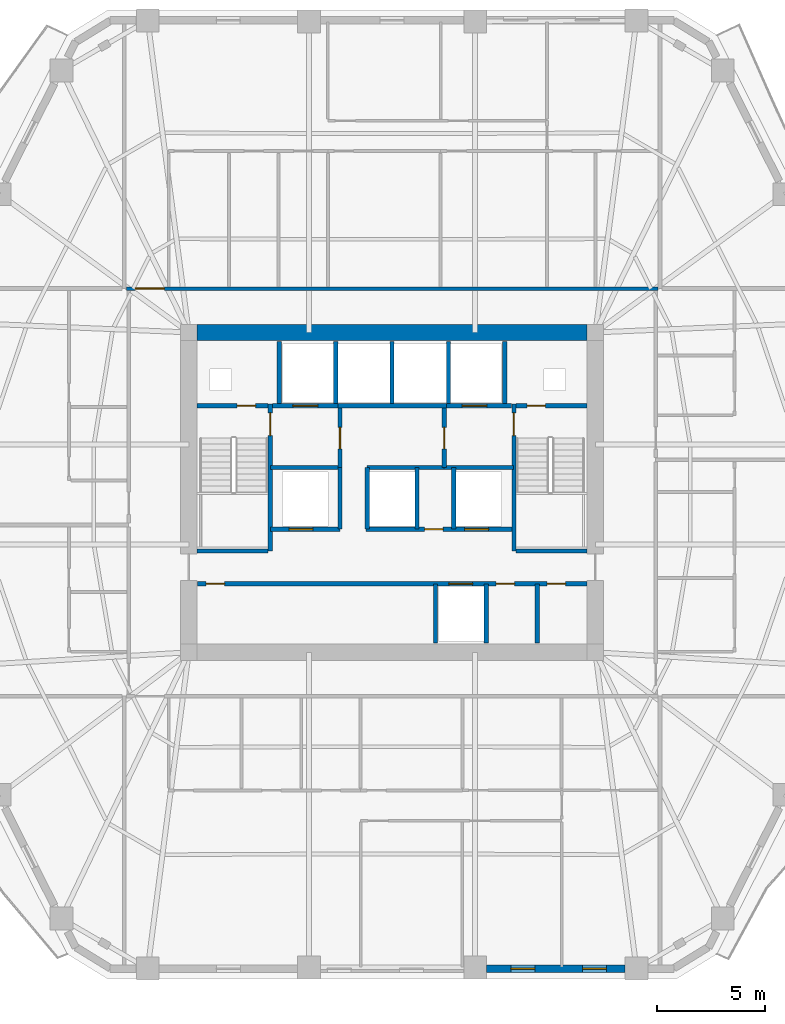
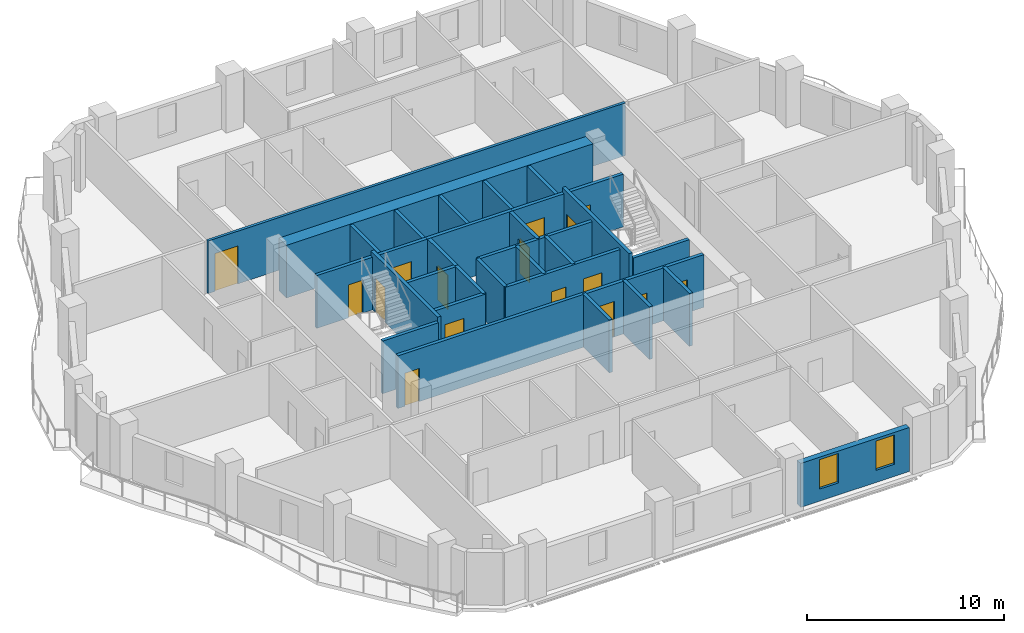
# One storey, part 5 of 11: 32 walls, 16 doors, 2 windows, 18 openings.
"""IFC4 building model written with IfcOpenShell, lengths in metres."""

from ifc_helpers import new_model, si_unit, direction, frame, frame_2d, origin, place, context, subcontext, project, spatial, rectangle, extrude, material, layer, layer_set, type_object, element, fill, save


model = new_model("IFC4")

# Units and contexts
model_context = context("Model", 3, precision=1e-05, world=origin(), true_north=direction((0.0, 1.0)))
body_context = subcontext(model_context, "Body", "Model", "MODEL_VIEW")
ifc_project = project(units=[si_unit("LENGTHUNIT", "METRE"), si_unit("AREAUNIT", "SQUARE_METRE"), si_unit("VOLUMEUNIT", "CUBIC_METRE"), si_unit("PLANEANGLEUNIT", "RADIAN"), si_unit("MASSUNIT", "GRAM", prefix="KILO")], contexts=[model_context])

# Site, building, storey
site_placement = place(None, origin())
site = spatial("IfcSite", under=ifc_project, at=site_placement, CompositionType="ELEMENT")
building_placement = place(site_placement, origin())
building = spatial("IfcBuilding", under=site, at=building_placement, Name="Cinnabar Lancet Tower", CompositionType="ELEMENT")
storey_placement = place(building_placement, frame((0.0, 0.0, 144.550048828125)))
storey = spatial("IfcBuildingStorey", under=building, at=storey_placement, Name="L38", CompositionType="ELEMENT", Elevation=144.550048828125)

# Wall, opening, door
ifc_material_1 = material(Name="Acoustic twin-stud gypsum partition", Category="gypsum")
ifc_layer_1 = layer(ifc_material_1, 0.159912109375)
ifc_layer_set_1 = layer_set([ifc_layer_1], Name="Acoustic twin-stud gypsum partition")
wall_type_1 = type_object("IfcWallType", Name="ARC-WL-CORR-160", PredefinedType="PARTITIONING", material=ifc_layer_set_1)
wall_1_placement = place(storey_placement, frame((20.14501953125, 35.300048828125, 0.0), z_axis=(0.0, 0.0, 1.0), x_axis=(1.0, 0.0, 0.0)))
wall_1 = element("IfcWall", 1, at=wall_1_placement, inside=storey, type_object=wall_type_1, Name="L38 Unit N01 Corridor Wall", PredefinedType="PARTITIONING", context=body_context, shape_type="SweptSolid", body=[
    extrude(rectangle(XDim=24.510009765625, YDim=0.159912109375, at=frame_2d((12.2548828125, 0.0))), origin(), (0.0, 0.0, 1.0), 3.27001953125),
])
opening_1_placement = place(wall_1_placement, frame((0.405029296875, 0.0, 0.0)))
opening_1 = element("IfcOpeningElement", 2, at=opening_1_placement, cuts=wall_1, Name="Opening UD-02", PredefinedType="OPENING", context=body_context, shape_type="SweptSolid", body=[
    extrude(rectangle(XDim=1.35009765625, YDim=2.35009765625, at=frame_2d((0.675048828125, 1.175048828125))), frame((0.0, 0.08984375, 0.0), z_axis=(0.0, -1.0, 0.0), x_axis=(1.0, 0.0, 0.0)), (0.0, 0.0, 1.0), 0.179931640625),
])
ifc_material_2 = material(Name="Double-leaf solid timber penthouse entrance door", Category="wood")
door_type_1 = type_object("IfcDoorType", Name="ARC-DR-UNIT-PH", OperationType="NOTDEFINED", PredefinedType="DOOR", material=ifc_material_2)
door_1_placement = place(opening_1_placement, origin())
door_1 = element("IfcDoor", 3, at=door_1_placement, inside=storey, type_object=door_type_1, Name="DR-L38-N01-ENT", OperationType="SINGLE_SWING_LEFT", OverallHeight=2.35009765625, OverallWidth=1.35009765625, PredefinedType="DOOR", context=body_context, shape_type="SweptSolid", body=[
    extrude(rectangle(XDim=1.35009765625, YDim=2.35009765625, at=frame_2d((0.675048828125, 1.175048828125))), frame((0.0, 0.02490234375, 0.0), z_axis=(0.0, -1.0, 0.0), x_axis=(1.0, 0.0, 0.0)), (0.0, 0.0, 1.0), 0.050048828125),
])
fill(opening_1, door_1)

# Walls
ifc_material_3 = material(Name="Autoclaved aerated concrete blockwork", Category="masonry")
ifc_layer_2 = layer(ifc_material_3, 0.199951171875)
ifc_layer_set_2 = layer_set([ifc_layer_2], Name="Autoclaved aerated concrete blockwork")
wall_type_2 = type_object("IfcWallType", Name="ARC-WL-SHAFT-200", PredefinedType="PLUMBINGWALL", material=ifc_layer_set_2)
for number, where, z_axis, x_axis, name in (
    (4, (23.405029296875, 23.199951171875, 0.0), (0.0, 0.0, 1.0), (1.0, 0.0, 0.0), "CW-ST1S-L38"),
    (5, (38.125, 23.199951171875, 0.0), (0.0, 0.0, 1.0), (1.0, 0.0, 0.0), "CW-ST2S-L38"),
):
    element("IfcWall", number, at=place(storey_placement, frame(where, z_axis=z_axis, x_axis=x_axis)), inside=storey, type_object=wall_type_2, Name=name, PredefinedType="PLUMBINGWALL", context=body_context, shape_type="SweptSolid", body=[
        extrude(rectangle(XDim=3.27001953125, YDim=0.199951171875, at=frame_2d((1.635009765625, 0.0))), origin(), (0.0, 0.0, 1.0), 3.27001953125),
    ])

# Wall, opening, door
wall_2_placement = place(storey_placement, frame((23.405029296875, 29.89990234375, 0.0), z_axis=(0.0, 0.0, 1.0), x_axis=(1.0, 0.0, 0.0)))
wall_2 = element("IfcWall", 6, at=wall_2_placement, inside=storey, type_object=wall_type_2, Name="CW-NSH-W-L38", PredefinedType="PLUMBINGWALL", context=body_context, shape_type="SweptSolid", body=[
    extrude(rectangle(XDim=3.27001953125, YDim=0.199951171875, at=frame_2d((1.635009765625, 0.0))), origin(), (0.0, 0.0, 1.0), 3.27001953125),
])
opening_2_placement = place(wall_2_placement, frame((1.85009765625, 0.0, 0.0)))
opening_2 = element("IfcOpeningElement", 7, at=opening_2_placement, cuts=wall_2, Name="Opening PD-02", PredefinedType="OPENING", context=body_context, shape_type="SweptSolid", body=[
    extrude(rectangle(XDim=0.85009765625, YDim=2.050048828125, at=frame_2d((0.425048828125, 1.02490234375))), frame((0.0, 0.10986328125, 0.0), z_axis=(0.0, -1.0, 0.0), x_axis=(1.0, 0.0, 0.0)), (0.0, 0.0, 1.0), 0.219970703125),
])
ifc_material_4 = material(Name="Fire-rated steel riser access door", Category="steel")
door_type_2 = type_object("IfcDoorType", Name="ARC-DR-RISER", OperationType="NOTDEFINED", PredefinedType="DOOR", material=ifc_material_4)
door_2_placement = place(opening_2_placement, origin())
door_2 = element("IfcDoor", 8, at=door_2_placement, inside=storey, type_object=door_type_2, Name="L38 West Riser Access Door", OperationType="SINGLE_SWING_LEFT", OverallHeight=2.050048828125, OverallWidth=0.85009765625, PredefinedType="DOOR", context=body_context, shape_type="SweptSolid", body=[
    extrude(rectangle(XDim=0.85009765625, YDim=2.050048828125, at=frame_2d((0.425048828125, 1.02490234375))), frame((0.0, 0.02490234375, 0.0), z_axis=(0.0, -1.0, 0.0), x_axis=(1.0, 0.0, 0.0)), (0.0, 0.0, 1.0), 0.050048828125),
])
fill(opening_2, door_2)

wall_3_placement = place(storey_placement, frame((26.885009765625, 29.89990234375, 0.0), z_axis=(0.0, 0.0, 1.0), x_axis=(1.0, 0.0, 0.0)))
wall_3 = element("IfcWall", 9, at=wall_3_placement, inside=storey, type_object=wall_type_2, Name="CW-FL1-L38", PredefinedType="PLUMBINGWALL", context=body_context, shape_type="SweptSolid", body=[
    extrude(rectangle(XDim=3.014892578125, YDim=0.199951171875, at=frame_2d((1.50732421875, 0.0))), origin(), (0.0, 0.0, 1.0), 3.27001953125),
])
opening_3_placement = place(wall_3_placement, frame((0.93994140625, 0.0, 0.0)))
opening_3 = element("IfcOpeningElement", 10, at=opening_3_placement, cuts=wall_3, Name="Opening LD-02", PredefinedType="OPENING", context=body_context, shape_type="SweptSolid", body=[
    extrude(rectangle(XDim=1.14990234375, YDim=2.199951171875, at=frame_2d((0.574951171875, 1.10009765625))), frame((0.0, 0.10986328125, 0.0), z_axis=(0.0, -1.0, 0.0), x_axis=(1.0, 0.0, 0.0)), (0.0, 0.0, 1.0), 0.219970703125),
])
ifc_material_5 = material(Name="Fire-rated stainless steel firefighting lift landing door", Category="steel")
door_type_3 = type_object("IfcDoorType", Name="ARC-DR-LD-FIRE", OperationType="NOTDEFINED", PredefinedType="DOOR", material=ifc_material_5)
door_3_placement = place(opening_3_placement, origin())
door_3 = element("IfcDoor", 11, at=door_3_placement, inside=storey, type_object=door_type_3, Name="L38 Firefighting Lift FL-1 Landing Door", OperationType="DOUBLE_DOOR_SLIDING", OverallHeight=2.199951171875, OverallWidth=1.14990234375, PredefinedType="DOOR", context=body_context, shape_type="SweptSolid", body=[
    extrude(rectangle(XDim=1.14990234375, YDim=2.199951171875, at=frame_2d((0.574951171875, 1.10009765625))), frame((0.0, 0.02490234375, 0.0), z_axis=(0.0, -1.0, 0.0), x_axis=(1.0, 0.0, 0.0)), (0.0, 0.0, 1.0), 0.050048828125),
])
fill(opening_3, door_3)

# Wall
wall_4_placement = place(storey_placement, frame((29.89990234375, 29.89990234375, 0.0), z_axis=(0.0, 0.0, 1.0), x_axis=(1.0, 0.0, 0.0)))
element("IfcWall", 12, at=wall_4_placement, inside=storey, type_object=wall_type_2, Name="CW-PL78-L38", PredefinedType="PLUMBINGWALL", context=body_context, shape_type="SweptSolid", body=[
    extrude(rectangle(XDim=5.0, YDim=0.199951171875, at=frame_2d((2.5, 0.0))), origin(), (0.0, 0.0, 1.0), 3.27001953125),
])

# Wall, opening, door
wall_5_placement = place(storey_placement, frame((34.89990234375, 29.89990234375, 0.0), z_axis=(0.0, 0.0, 1.0), x_axis=(1.0, 0.0, 0.0)))
wall_5 = element("IfcWall", 13, at=wall_5_placement, inside=storey, type_object=wall_type_2, Name="CW-FL2-L38", PredefinedType="PLUMBINGWALL", context=body_context, shape_type="SweptSolid", body=[
    extrude(rectangle(XDim=3.01513671875, YDim=0.199951171875, at=frame_2d((1.507568359375, 0.0))), origin(), (0.0, 0.0, 1.0), 3.27001953125),
])
opening_4_placement = place(wall_5_placement, frame((0.72509765625, 0.0, 0.0)))
opening_4 = element("IfcOpeningElement", 14, at=opening_4_placement, cuts=wall_5, Name="Opening LD-02", PredefinedType="OPENING", context=body_context, shape_type="SweptSolid", body=[
    extrude(rectangle(XDim=1.14990234375, YDim=2.199951171875, at=frame_2d((0.574951171875, 1.10009765625))), frame((0.0, 0.10986328125, 0.0), z_axis=(0.0, -1.0, 0.0), x_axis=(1.0, 0.0, 0.0)), (0.0, 0.0, 1.0), 0.219970703125),
])
door_4_placement = place(opening_4_placement, origin())
door_4 = element("IfcDoor", 15, at=door_4_placement, inside=storey, type_object=door_type_3, Name="L38 Firefighting Lift FL-2 Landing Door", OperationType="DOUBLE_DOOR_SLIDING", OverallHeight=2.199951171875, OverallWidth=1.14990234375, PredefinedType="DOOR", context=body_context, shape_type="SweptSolid", body=[
    extrude(rectangle(XDim=1.14990234375, YDim=2.199951171875, at=frame_2d((0.574951171875, 1.10009765625))), frame((0.0, 0.02490234375, 0.0), z_axis=(0.0, -1.0, 0.0), x_axis=(1.0, 0.0, 0.0)), (0.0, 0.0, 1.0), 0.050048828125),
])
fill(opening_4, door_4)

wall_6_placement = place(storey_placement, frame((38.125, 29.89990234375, 0.0), z_axis=(0.0, 0.0, 1.0), x_axis=(1.0, 0.0, 0.0)))
wall_6 = element("IfcWall", 16, at=wall_6_placement, inside=storey, type_object=wall_type_2, Name="CW-NSH-E-L38", PredefinedType="PLUMBINGWALL", context=body_context, shape_type="SweptSolid", body=[
    extrude(rectangle(XDim=3.27001953125, YDim=0.199951171875, at=frame_2d((1.635009765625, 0.0))), origin(), (0.0, 0.0, 1.0), 3.27001953125),
])
opening_5_placement = place(wall_6_placement, frame((0.5, 0.0, 0.0)))
opening_5 = element("IfcOpeningElement", 17, at=opening_5_placement, cuts=wall_6, Name="Opening PD-02", PredefinedType="OPENING", context=body_context, shape_type="SweptSolid", body=[
    extrude(rectangle(XDim=0.85009765625, YDim=2.050048828125, at=frame_2d((0.425048828125, 1.02490234375))), frame((0.0, 0.10986328125, 0.0), z_axis=(0.0, -1.0, 0.0), x_axis=(1.0, 0.0, 0.0)), (0.0, 0.0, 1.0), 0.219970703125),
])
door_5_placement = place(opening_5_placement, origin())
door_5 = element("IfcDoor", 18, at=door_5_placement, inside=storey, type_object=door_type_2, Name="L38 East Riser Access Door", OperationType="SINGLE_SWING_RIGHT", OverallHeight=2.050048828125, OverallWidth=0.85009765625, PredefinedType="DOOR", context=body_context, shape_type="SweptSolid", body=[
    extrude(rectangle(XDim=0.85009765625, YDim=2.050048828125, at=frame_2d((0.425048828125, 1.02490234375))), frame((0.0, 0.02490234375, 0.0), z_axis=(0.0, -1.0, 0.0), x_axis=(1.0, 0.0, 0.0)), (0.0, 0.0, 1.0), 0.050048828125),
])
fill(opening_5, door_5)

# Walls
for number, where, z_axis, x_axis, name in (
    (19, (27.199951171875, 30.0, 0.0), (0.0, 0.0, 1.0), (0.0, 1.0, 0.0), "CW-NSH-D1-L38"),
    (20, (29.800048828125, 30.0, 0.0), (0.0, 0.0, 1.0), (0.0, 1.0, 0.0), "CW-NSH-D2-L38"),
    (21, (32.39990234375, 30.0, 0.0), (0.0, 0.0, 1.0), (0.0, 1.0, 0.0), "CW-NSH-D3-L38"),
    (22, (35.0, 30.0, 0.0), (0.0, 0.0, 1.0), (0.0, 1.0, 0.0), "CW-NSH-D4-L38"),
    (23, (37.60009765625, 30.0, 0.0), (0.0, 0.0, 1.0), (0.0, 1.0, 0.0), "CW-NSH-D5-L38"),
):
    element("IfcWall", number, at=place(storey_placement, frame(where, z_axis=z_axis, x_axis=x_axis)), inside=storey, type_object=wall_type_2, Name=name, PredefinedType="PLUMBINGWALL", context=body_context, shape_type="SweptSolid", body=[
        extrude(rectangle(XDim=2.85009765625, YDim=0.199951171875, at=frame_2d((1.425048828125, 0.0))), origin(), (0.0, 0.0, 1.0), 3.27001953125),
    ])

# Wall, opening, door
wall_7_placement = place(storey_placement, frame((30.0, 27.050048828125, 0.0), z_axis=(0.0, 0.0, 1.0), x_axis=(0.0, 1.0, 0.0)))
wall_7 = element("IfcWall", 24, at=wall_7_placement, inside=storey, type_object=wall_type_2, Name="CW-FF1E-L38", PredefinedType="PLUMBINGWALL", context=body_context, shape_type="SweptSolid", body=[
    extrude(rectangle(XDim=2.75, YDim=0.199951171875, at=frame_2d((1.375, 0.0))), origin(), (0.0, 0.0, 1.0), 3.27001953125),
])
opening_6_placement = place(wall_7_placement, frame((0.85009765625, 0.0, 0.0)))
opening_6 = element("IfcOpeningElement", 25, at=opening_6_placement, cuts=wall_7, Name="Opening FD-01", PredefinedType="OPENING", context=body_context, shape_type="SweptSolid", body=[
    extrude(rectangle(XDim=1.0, YDim=2.14990234375, at=frame_2d((0.5, 1.074951171875))), frame((0.0, 0.10986328125, 0.0), z_axis=(0.0, -1.0, 0.0), x_axis=(1.0, 0.0, 0.0)), (0.0, 0.0, 1.0), 0.219970703125),
])
ifc_material_6 = material(Name="Fire-rated timber-core lobby door", Category="wood")
door_type_4 = type_object("IfcDoorType", Name="ARC-DR-FFAL", OperationType="NOTDEFINED", PredefinedType="DOOR", material=ifc_material_6)
door_6_placement = place(opening_6_placement, origin())
door_6 = element("IfcDoor", 26, at=door_6_placement, inside=storey, type_object=door_type_4, Name="L38 FFAL-1 Lobby Fire Door", OperationType="SINGLE_SWING_RIGHT", OverallHeight=2.14990234375, OverallWidth=1.0, PredefinedType="DOOR", context=body_context, shape_type="SweptSolid", body=[
    extrude(rectangle(XDim=1.0, YDim=2.14990234375, at=frame_2d((0.5, 1.074951171875))), frame((0.0, 0.02490234375, 0.0), z_axis=(0.0, -1.0, 0.0), x_axis=(1.0, 0.0, 0.0)), (0.0, 0.0, 1.0), 0.050048828125),
])
fill(opening_6, door_6)

# Wall
wall_8_placement = place(storey_placement, frame((26.800048828125, 27.050048828125, 0.0), z_axis=(0.0, 0.0, 1.0), x_axis=(1.0, 0.0, 0.0)))
element("IfcWall", 27, at=wall_8_placement, inside=storey, type_object=wall_type_2, Name="CW-FF1S-L38", PredefinedType="PLUMBINGWALL", context=body_context, shape_type="SweptSolid", body=[
    extrude(rectangle(XDim=3.199951171875, YDim=0.199951171875, at=frame_2d((1.60009765625, 0.0))), origin(), (0.0, 0.0, 1.0), 3.27001953125),
])

# Wall, opening, door
wall_9_placement = place(storey_placement, frame((34.800048828125, 27.050048828125, 0.0), z_axis=(0.0, 0.0, 1.0), x_axis=(0.0, 1.0, 0.0)))
wall_9 = element("IfcWall", 28, at=wall_9_placement, inside=storey, type_object=wall_type_2, Name="CW-FF2W-L38", PredefinedType="PLUMBINGWALL", context=body_context, shape_type="SweptSolid", body=[
    extrude(rectangle(XDim=2.75, YDim=0.199951171875, at=frame_2d((1.375, 0.0))), origin(), (0.0, 0.0, 1.0), 3.27001953125),
])
opening_7_placement = place(wall_9_placement, frame((0.85009765625, 0.0, 0.0)))
opening_7 = element("IfcOpeningElement", 29, at=opening_7_placement, cuts=wall_9, Name="Opening FD-01", PredefinedType="OPENING", context=body_context, shape_type="SweptSolid", body=[
    extrude(rectangle(XDim=1.0, YDim=2.14990234375, at=frame_2d((0.5, 1.074951171875))), frame((0.0, 0.10986328125, 0.0), z_axis=(0.0, -1.0, 0.0), x_axis=(1.0, 0.0, 0.0)), (0.0, 0.0, 1.0), 0.219970703125),
])
door_7_placement = place(opening_7_placement, origin())
door_7 = element("IfcDoor", 30, at=door_7_placement, inside=storey, type_object=door_type_4, Name="L38 FFAL-2 Lobby Fire Door", OperationType="SINGLE_SWING_LEFT", OverallHeight=2.14990234375, OverallWidth=1.0, PredefinedType="DOOR", context=body_context, shape_type="SweptSolid", body=[
    extrude(rectangle(XDim=1.0, YDim=2.14990234375, at=frame_2d((0.5, 1.074951171875))), frame((0.0, 0.02490234375, 0.0), z_axis=(0.0, -1.0, 0.0), x_axis=(1.0, 0.0, 0.0)), (0.0, 0.0, 1.0), 0.050048828125),
])
fill(opening_7, door_7)

# Wall
wall_10_placement = place(storey_placement, frame((34.800048828125, 27.050048828125, 0.0), z_axis=(0.0, 0.0, 1.0), x_axis=(1.0, 0.0, 0.0)))
element("IfcWall", 31, at=wall_10_placement, inside=storey, type_object=wall_type_2, Name="CW-FF2S-L38", PredefinedType="PLUMBINGWALL", context=body_context, shape_type="SweptSolid", body=[
    extrude(rectangle(XDim=3.199951171875, YDim=0.199951171875, at=frame_2d((1.60009765625, 0.0))), origin(), (0.0, 0.0, 1.0), 3.27001953125),
])

# Wall, opening, door
wall_11_placement = place(storey_placement, frame((26.800048828125, 24.199951171875, 0.0), z_axis=(0.0, 0.0, 1.0), x_axis=(1.0, 0.0, 0.0)))
wall_11 = element("IfcWall", 32, at=wall_11_placement, inside=storey, type_object=wall_type_2, Name="CW-PL5S-L38", PredefinedType="PLUMBINGWALL", context=body_context, shape_type="SweptSolid", body=[
    extrude(rectangle(XDim=3.199951171875, YDim=0.199951171875, at=frame_2d((1.60009765625, 0.0))), origin(), (0.0, 0.0, 1.0), 3.27001953125),
])
opening_8_placement = place(wall_11_placement, frame((0.85009765625, 0.0, 0.0)))
opening_8 = element("IfcOpeningElement", 33, at=opening_8_placement, cuts=wall_11, Name="Opening LD-01", PredefinedType="OPENING", context=body_context, shape_type="SweptSolid", body=[
    extrude(rectangle(XDim=1.10009765625, YDim=2.199951171875, at=frame_2d((0.550048828125, 1.10009765625))), frame((0.0, 0.10986328125, 0.0), z_axis=(0.0, -1.0, 0.0), x_axis=(1.0, 0.0, 0.0)), (0.0, 0.0, 1.0), 0.219970703125),
])
ifc_material_7 = material(Name="Brushed stainless steel sliding lift door", Category="steel")
door_type_5 = type_object("IfcDoorType", Name="ARC-DR-LD-PASS", OperationType="NOTDEFINED", PredefinedType="DOOR", material=ifc_material_7)
door_8_placement = place(opening_8_placement, origin())
door_8 = element("IfcDoor", 34, at=door_8_placement, inside=storey, type_object=door_type_5, Name="L38 Lift PL-5 Landing Door", OperationType="DOUBLE_DOOR_SLIDING", OverallHeight=2.199951171875, OverallWidth=1.10009765625, PredefinedType="DOOR", context=body_context, shape_type="SweptSolid", body=[
    extrude(rectangle(XDim=1.10009765625, YDim=2.199951171875, at=frame_2d((0.550048828125, 1.10009765625))), frame((0.0, 0.02490234375, 0.0), z_axis=(0.0, -1.0, 0.0), x_axis=(1.0, 0.0, 0.0)), (0.0, 0.0, 1.0), 0.050048828125),
])
fill(opening_8, door_8)

# Wall
wall_12_placement = place(storey_placement, frame((30.0, 24.199951171875, 0.0), z_axis=(0.0, 0.0, 1.0), x_axis=(0.0, 1.0, 0.0)))
element("IfcWall", 35, at=wall_12_placement, inside=storey, type_object=wall_type_2, Name="CW-PL5E-L38", PredefinedType="PLUMBINGWALL", context=body_context, shape_type="SweptSolid", body=[
    extrude(rectangle(XDim=2.85009765625, YDim=0.199951171875, at=frame_2d((1.425048828125, 0.0))), origin(), (0.0, 0.0, 1.0), 3.27001953125),
])

# Wall, openings, doors
wall_13_placement = place(storey_placement, frame((31.199951171875, 24.199951171875, 0.0), z_axis=(0.0, 0.0, 1.0), x_axis=(1.0, 0.0, 0.0)))
wall_13 = element("IfcWall", 36, at=wall_13_placement, inside=storey, type_object=wall_type_2, Name="CW-PL96S-L38", PredefinedType="PLUMBINGWALL", context=body_context, shape_type="SweptSolid", body=[
    extrude(rectangle(XDim=6.800048828125, YDim=0.199951171875, at=frame_2d((3.39990234375, 0.0))), origin(), (0.0, 0.0, 1.0), 3.27001953125),
])
opening_9_placement = place(wall_13_placement, frame((2.699951171875, 0.0, 0.0)))
opening_9 = element("IfcOpeningElement", 37, at=opening_9_placement, cuts=wall_13, Name="Opening PD-02", PredefinedType="OPENING", context=body_context, shape_type="SweptSolid", body=[
    extrude(rectangle(XDim=0.85009765625, YDim=2.050048828125, at=frame_2d((0.425048828125, 1.02490234375))), frame((0.0, 0.10986328125, 0.0), z_axis=(0.0, -1.0, 0.0), x_axis=(1.0, 0.0, 0.0)), (0.0, 0.0, 1.0), 0.219970703125),
])
opening_10_placement = place(wall_13_placement, frame((4.550048828125, 0.0, 0.0)))
opening_10 = element("IfcOpeningElement", 38, at=opening_10_placement, cuts=wall_13, Name="Opening LD-01", PredefinedType="OPENING", context=body_context, shape_type="SweptSolid", body=[
    extrude(rectangle(XDim=1.10009765625, YDim=2.199951171875, at=frame_2d((0.550048828125, 1.10009765625))), frame((0.0, 0.10986328125, 0.0), z_axis=(0.0, -1.0, 0.0), x_axis=(1.0, 0.0, 0.0)), (0.0, 0.0, 1.0), 0.219970703125),
])
door_9_placement = place(opening_10_placement, origin())
door_9 = element("IfcDoor", 39, at=door_9_placement, inside=storey, type_object=door_type_5, Name="L38 Lift PL-6 Landing Door", OperationType="DOUBLE_DOOR_SLIDING", OverallHeight=2.199951171875, OverallWidth=1.10009765625, PredefinedType="DOOR", context=body_context, shape_type="SweptSolid", body=[
    extrude(rectangle(XDim=1.10009765625, YDim=2.199951171875, at=frame_2d((0.550048828125, 1.10009765625))), frame((0.0, 0.02490234375, 0.0), z_axis=(0.0, -1.0, 0.0), x_axis=(1.0, 0.0, 0.0)), (0.0, 0.0, 1.0), 0.050048828125),
])
fill(opening_10, door_9)
door_10_placement = place(opening_9_placement, origin())
door_10 = element("IfcDoor", 40, at=door_10_placement, inside=storey, type_object=door_type_2, Name="L38 BMS Closet Door", OperationType="SINGLE_SWING_LEFT", OverallHeight=2.050048828125, OverallWidth=0.85009765625, PredefinedType="DOOR", context=body_context, shape_type="SweptSolid", body=[
    extrude(rectangle(XDim=0.85009765625, YDim=2.050048828125, at=frame_2d((0.425048828125, 1.02490234375))), frame((0.0, 0.02490234375, 0.0), z_axis=(0.0, -1.0, 0.0), x_axis=(1.0, 0.0, 0.0)), (0.0, 0.0, 1.0), 0.050048828125),
])
fill(opening_9, door_10)

# Walls
for number, where, z_axis, x_axis, name in (
    (41, (31.25, 24.199951171875, 0.0), (0.0, 0.0, 1.0), (0.0, 1.0, 0.0), "CW-PL9W-L38"),
    (42, (33.550048828125, 24.199951171875, 0.0), (0.0, 0.0, 1.0), (0.0, 1.0, 0.0), "CW-PL9E-L38"),
    (43, (35.25, 24.199951171875, 0.0), (0.0, 0.0, 1.0), (0.0, 1.0, 0.0), "CW-PL6W-L38"),
):
    element("IfcWall", number, at=place(storey_placement, frame(where, z_axis=z_axis, x_axis=x_axis)), inside=storey, type_object=wall_type_2, Name=name, PredefinedType="PLUMBINGWALL", context=body_context, shape_type="SweptSolid", body=[
        extrude(rectangle(XDim=2.85009765625, YDim=0.199951171875, at=frame_2d((1.425048828125, 0.0))), origin(), (0.0, 0.0, 1.0), 3.27001953125),
    ])
wall_14_placement = place(storey_placement, frame((31.25, 27.050048828125, 0.0), z_axis=(0.0, 0.0, 1.0), x_axis=(1.0, 0.0, 0.0)))
element("IfcWall", 44, at=wall_14_placement, inside=storey, type_object=wall_type_2, Name="CW-PL96N-L38", PredefinedType="PLUMBINGWALL", context=body_context, shape_type="SweptSolid", body=[
    extrude(rectangle(XDim=3.550048828125, YDim=0.199951171875, at=frame_2d((1.77490234375, 0.0))), origin(), (0.0, 0.0, 1.0), 3.27001953125),
])

# Wall, openings, doors
wall_15_placement = place(storey_placement, frame((23.419921875, 21.679931640625, 0.0), z_axis=(0.0, 0.0, 1.0), x_axis=(1.0, 0.0, 0.0)))
wall_15 = element("IfcWall", 45, at=wall_15_placement, inside=storey, type_object=wall_type_2, Name="CW-SBANDN-L38", PredefinedType="PLUMBINGWALL", context=body_context, shape_type="SweptSolid", body=[
    extrude(rectangle(XDim=17.9599609375, YDim=0.199951171875, at=frame_2d((8.97998046875, 0.0))), origin(), (0.0, 0.0, 1.0), 3.27001953125),
])
opening_11_placement = place(wall_15_placement, frame((11.60009765625, 0.0, 0.0)))
opening_11 = element("IfcOpeningElement", 46, at=opening_11_placement, cuts=wall_15, Name="Opening LD-01", PredefinedType="OPENING", context=body_context, shape_type="SweptSolid", body=[
    extrude(rectangle(XDim=1.10009765625, YDim=2.199951171875, at=frame_2d((0.550048828125, 1.10009765625))), frame((0.0, 0.10986328125, 0.0), z_axis=(0.0, -1.0, 0.0), x_axis=(1.0, 0.0, 0.0)), (0.0, 0.0, 1.0), 0.219970703125),
])
opening_12_placement = place(wall_15_placement, frame((0.409912109375, 0.0, 0.0)))
opening_12 = element("IfcOpeningElement", 47, at=opening_12_placement, cuts=wall_15, Name="Opening PD-02", PredefinedType="OPENING", context=body_context, shape_type="SweptSolid", body=[
    extrude(rectangle(XDim=0.85009765625, YDim=2.050048828125, at=frame_2d((0.425048828125, 1.02490234375))), frame((0.0, 0.10986328125, 0.0), z_axis=(0.0, -1.0, 0.0), x_axis=(1.0, 0.0, 0.0)), (0.0, 0.0, 1.0), 0.219970703125),
])
opening_13_placement = place(wall_15_placement, frame((13.780029296875, 0.0, 0.0)))
opening_13 = element("IfcOpeningElement", 48, at=opening_13_placement, cuts=wall_15, Name="Opening PD-02", PredefinedType="OPENING", context=body_context, shape_type="SweptSolid", body=[
    extrude(rectangle(XDim=0.85009765625, YDim=2.050048828125, at=frame_2d((0.425048828125, 1.02490234375))), frame((0.0, 0.10986328125, 0.0), z_axis=(0.0, -1.0, 0.0), x_axis=(1.0, 0.0, 0.0)), (0.0, 0.0, 1.0), 0.219970703125),
])
opening_14_placement = place(wall_15_placement, frame((16.1298828125, 0.0, 0.0)))
opening_14 = element("IfcOpeningElement", 49, at=opening_14_placement, cuts=wall_15, Name="Opening PD-02", PredefinedType="OPENING", context=body_context, shape_type="SweptSolid", body=[
    extrude(rectangle(XDim=0.85009765625, YDim=2.050048828125, at=frame_2d((0.425048828125, 1.02490234375))), frame((0.0, 0.10986328125, 0.0), z_axis=(0.0, -1.0, 0.0), x_axis=(1.0, 0.0, 0.0)), (0.0, 0.0, 1.0), 0.219970703125),
])
door_11_placement = place(opening_11_placement, origin())
door_11 = element("IfcDoor", 50, at=door_11_placement, inside=storey, type_object=door_type_5, Name="L38 Lift PL-4 Landing Door", OperationType="DOUBLE_DOOR_SLIDING", OverallHeight=2.199951171875, OverallWidth=1.10009765625, PredefinedType="DOOR", context=body_context, shape_type="SweptSolid", body=[
    extrude(rectangle(XDim=1.10009765625, YDim=2.199951171875, at=frame_2d((0.550048828125, 1.10009765625))), frame((0.0, 0.02490234375, 0.0), z_axis=(0.0, -1.0, 0.0), x_axis=(1.0, 0.0, 0.0)), (0.0, 0.0, 1.0), 0.050048828125),
])
fill(opening_11, door_11)
door_12_placement = place(opening_12_placement, origin())
door_12 = element("IfcDoor", 51, at=door_12_placement, inside=storey, type_object=door_type_2, Name="DR-L38-MREC1", OperationType="SINGLE_SWING_LEFT", OverallHeight=2.050048828125, OverallWidth=0.85009765625, PredefinedType="DOOR", context=body_context, shape_type="SweptSolid", body=[
    extrude(rectangle(XDim=0.85009765625, YDim=2.050048828125, at=frame_2d((0.425048828125, 1.02490234375))), frame((0.0, 0.02490234375, 0.0), z_axis=(0.0, -1.0, 0.0), x_axis=(1.0, 0.0, 0.0)), (0.0, 0.0, 1.0), 0.050048828125),
])
fill(opening_12, door_12)
door_13_placement = place(opening_13_placement, origin())
door_13 = element("IfcDoor", 52, at=door_13_placement, inside=storey, type_object=door_type_2, Name="DR-L38-MREC2", OperationType="SINGLE_SWING_RIGHT", OverallHeight=2.050048828125, OverallWidth=0.85009765625, PredefinedType="DOOR", context=body_context, shape_type="SweptSolid", body=[
    extrude(rectangle(XDim=0.85009765625, YDim=2.050048828125, at=frame_2d((0.425048828125, 1.02490234375))), frame((0.0, 0.02490234375, 0.0), z_axis=(0.0, -1.0, 0.0), x_axis=(1.0, 0.0, 0.0)), (0.0, 0.0, 1.0), 0.050048828125),
])
fill(opening_13, door_13)
door_14_placement = place(opening_14_placement, origin())
door_14 = element("IfcDoor", 53, at=door_14_placement, inside=storey, type_object=door_type_2, Name="DR-L38-MREC3", OperationType="SINGLE_SWING_LEFT", OverallHeight=2.050048828125, OverallWidth=0.85009765625, PredefinedType="DOOR", context=body_context, shape_type="SweptSolid", body=[
    extrude(rectangle(XDim=0.85009765625, YDim=2.050048828125, at=frame_2d((0.425048828125, 1.02490234375))), frame((0.0, 0.02490234375, 0.0), z_axis=(0.0, -1.0, 0.0), x_axis=(1.0, 0.0, 0.0)), (0.0, 0.0, 1.0), 0.050048828125),
])
fill(opening_14, door_14)

# Walls
for number, where, z_axis, x_axis, name in (
    (54, (34.39990234375, 18.949951171875, 0.0), (0.0, 0.0, 1.0), (0.0, 1.0, 0.0), "CW-SB-3440-L38"),
    (55, (36.75, 18.949951171875, 0.0), (0.0, 0.0, 1.0), (0.0, 1.0, 0.0), "CW-SB-3675-L38"),
    (56, (39.10009765625, 18.949951171875, 0.0), (0.0, 0.0, 1.0), (0.0, 1.0, 0.0), "CW-SB-3910-L38"),
):
    element("IfcWall", number, at=place(storey_placement, frame(where, z_axis=z_axis, x_axis=x_axis)), inside=storey, type_object=wall_type_2, Name=name, PredefinedType="PLUMBINGWALL", context=body_context, shape_type="SweptSolid", body=[
        extrude(rectangle(XDim=2.72998046875, YDim=0.199951171875, at=frame_2d((1.364990234375, 0.0))), origin(), (0.0, 0.0, 1.0), 3.27001953125),
    ])

# Wall, openings, windows
ifc_material_8 = material(Name="Cinnabar red clay brick", Category="masonry")
ifc_layer_3 = layer(ifc_material_8, 0.340087890625)
ifc_layer_set_3 = layer_set([ifc_layer_3], Name="Cinnabar red clay brick")
wall_type_3 = type_object("IfcWallType", Name="ENV-WL-BRK-RED-340", PredefinedType="STANDARD", material=ifc_layer_set_3)
wall_16_placement = place(storey_placement, frame((36.760986328125, 3.929931640625, 0.0), z_axis=(0.0, 0.0, 1.0), x_axis=(1.0, 0.0, 0.0)))
wall_16 = element("IfcWall", 57, at=wall_16_placement, inside=storey, type_object=wall_type_3, Name="L38 Face 1 Masonry Bay Wall 4", PredefinedType="STANDARD", context=body_context, shape_type="SweptSolid", body=[
    extrude(rectangle(XDim=6.37890625, YDim=0.340087890625, at=frame_2d((3.189453125, 0.0))), origin(), (0.0, 0.0, 1.0), 2.72705078125),
])
opening_15_placement = place(wall_16_placement, frame((1.123046875, 0.0, 0.75)))
opening_15 = element("IfcOpeningElement", 58, at=opening_15_placement, cuts=wall_16, Name="Opening WN-04", PredefinedType="OPENING", context=body_context, shape_type="SweptSolid", body=[
    extrude(rectangle(XDim=1.10009765625, YDim=1.826904296875, at=frame_2d((0.550048828125, 0.91357421875))), frame((0.0, 0.179931640625, 0.0), z_axis=(0.0, -1.0, 0.0), x_axis=(1.0, 0.0, 0.0)), (0.0, 0.0, 1.0), 0.360107421875),
])
opening_16_placement = place(wall_16_placement, frame((4.425048828125, 0.0, 0.75)))
opening_16 = element("IfcOpeningElement", 59, at=opening_16_placement, cuts=wall_16, Name="Opening WN-04", PredefinedType="OPENING", context=body_context, shape_type="SweptSolid", body=[
    extrude(rectangle(XDim=1.10009765625, YDim=1.826904296875, at=frame_2d((0.550048828125, 0.91357421875))), frame((0.0, 0.179931640625, 0.0), z_axis=(0.0, -1.0, 0.0), x_axis=(1.0, 0.0, 0.0)), (0.0, 0.0, 1.0), 0.360107421875),
])
ifc_material_9 = material(Name="Thermally broken bronze-anodized aluminium tall lancet window", Category="aluminium")
window_type = type_object("IfcWindowType", Name="ENV-WN-LANCET-1100", PartitioningType="SINGLE_PANEL", PredefinedType="WINDOW", material=ifc_material_9)
window_1_placement = place(opening_15_placement, origin())
window_1 = element("IfcWindow", 60, at=window_1_placement, inside=storey, type_object=window_type, Name="L38 Face 1 Gothic Lancet Window 4", OverallHeight=1.826904296875, OverallWidth=1.10009765625, PartitioningType="SINGLE_PANEL", PredefinedType="WINDOW", context=body_context, shape_type="SweptSolid", body=[
    extrude(rectangle(XDim=1.10009765625, YDim=1.826904296875, at=frame_2d((0.550048828125, 0.91357421875))), frame((0.0, 0.030029296875, 0.0), z_axis=(0.0, -1.0, 0.0), x_axis=(1.0, 0.0, 0.0)), (0.0, 0.0, 1.0), 0.06005859375),
])
fill(opening_15, window_1)
window_2_placement = place(opening_16_placement, origin())
window_2 = element("IfcWindow", 61, at=window_2_placement, inside=storey, type_object=window_type, Name="L38 Split-Bay Gothic Lancet Window 110", OverallHeight=1.826904296875, OverallWidth=1.10009765625, PartitioningType="SINGLE_PANEL", PredefinedType="WINDOW", context=body_context, shape_type="SweptSolid", body=[
    extrude(rectangle(XDim=1.10009765625, YDim=1.826904296875, at=frame_2d((0.550048828125, 0.91357421875))), frame((0.0, 0.030029296875, 0.0), z_axis=(0.0, -1.0, 0.0), x_axis=(1.0, 0.0, 0.0)), (0.0, 0.0, 1.0), 0.06005859375),
])
fill(opening_16, window_2)

# Wall
ifc_material_10 = material(Name="Concrete C70/85", Category="concrete")
ifc_layer_4 = layer(ifc_material_10, 0.75)
ifc_layer_set_4 = layer_set([ifc_layer_4], Name="Concrete C70/85")
wall_type_4 = type_object("IfcWallType", Name="STR-WL-CORE-750", PredefinedType="SHEAR", material=ifc_layer_set_4)
wall_17_placement = place(storey_placement, frame((23.39990234375, 33.27490234375, 0.0), z_axis=(0.0, 0.0, 1.0), x_axis=(1.0, 0.0, 0.0)))
element("IfcWall", 62, at=wall_17_placement, inside=storey, type_object=wall_type_4, Name="L38 Core Shear Wall N", PredefinedType="SHEAR", context=body_context, shape_type="SweptSolid", body=[
    extrude(rectangle(XDim=18.0, YDim=0.75, at=frame_2d((9.0, 0.0))), origin(), (0.0, 0.0, 1.0), 3.27001953125),
])

# Wall, opening, door
ifc_material_11 = material(Name="Concrete C50/60", Category="concrete")
ifc_layer_5 = layer(ifc_material_11, 0.199951171875)
ifc_layer_set_5 = layer_set([ifc_layer_5], Name="Concrete C50/60")
wall_type_5 = type_object("IfcWallType", Name="STR-WL-STAIR-200", PredefinedType="SHEAR", material=ifc_layer_set_5)
wall_18_placement = place(storey_placement, frame((26.780029296875, 23.199951171875, 0.0), z_axis=(0.0, 0.0, 1.0), x_axis=(0.0, 1.0, 0.0)))
wall_18 = element("IfcWall", 63, at=wall_18_placement, inside=storey, type_object=wall_type_5, Name="L38 Stair ST-1 Structural Enclosure Wall", PredefinedType="SHEAR", context=body_context, shape_type="SweptSolid", body=[
    extrude(rectangle(XDim=6.780029296875, YDim=0.199951171875, at=frame_2d((3.39013671875, 0.0))), origin(), (0.0, 0.0, 1.0), 3.550048828125),
])
opening_17_placement = place(wall_18_placement, frame((5.320068359375, 0.0, 0.0)))
opening_17 = element("IfcOpeningElement", 64, at=opening_17_placement, cuts=wall_18, Name="Opening SD-01", PredefinedType="OPENING", context=body_context, shape_type="SweptSolid", body=[
    extrude(rectangle(XDim=1.050048828125, YDim=2.14990234375, at=frame_2d((0.52490234375, 1.074951171875))), frame((0.0, 0.10986328125, 0.0), z_axis=(0.0, -1.0, 0.0), x_axis=(1.0, 0.0, 0.0)), (0.0, 0.0, 1.0), 0.219970703125),
])
ifc_material_12 = material(Name="Fire-rated steel stair exit door", Category="steel")
door_type_6 = type_object("IfcDoorType", Name="ARC-DR-STAIR", OperationType="NOTDEFINED", PredefinedType="DOOR", material=ifc_material_12)
door_15_placement = place(opening_17_placement, origin())
door_15 = element("IfcDoor", 65, at=door_15_placement, inside=storey, type_object=door_type_6, Name="L38 Stair ST-1 Fire Door", OperationType="SINGLE_SWING_LEFT", OverallHeight=2.14990234375, OverallWidth=1.050048828125, PredefinedType="DOOR", context=body_context, shape_type="SweptSolid", body=[
    extrude(rectangle(XDim=1.050048828125, YDim=2.14990234375, at=frame_2d((0.52490234375, 1.074951171875))), frame((0.0, 0.02490234375, 0.0), z_axis=(0.0, -1.0, 0.0), x_axis=(1.0, 0.0, 0.0)), (0.0, 0.0, 1.0), 0.050048828125),
])
fill(opening_17, door_15)

wall_19_placement = place(storey_placement, frame((38.02001953125, 23.199951171875, 0.0), z_axis=(0.0, 0.0, 1.0), x_axis=(0.0, 1.0, 0.0)))
wall_19 = element("IfcWall", 66, at=wall_19_placement, inside=storey, type_object=wall_type_5, Name="L38 Stair ST-2 Structural Enclosure Wall", PredefinedType="SHEAR", context=body_context, shape_type="SweptSolid", body=[
    extrude(rectangle(XDim=6.780029296875, YDim=0.199951171875, at=frame_2d((3.39013671875, 0.0))), origin(), (0.0, 0.0, 1.0), 3.550048828125),
])
opening_18_placement = place(wall_19_placement, frame((5.320068359375, 0.0, 0.0)))
opening_18 = element("IfcOpeningElement", 67, at=opening_18_placement, cuts=wall_19, Name="Opening SD-01", PredefinedType="OPENING", context=body_context, shape_type="SweptSolid", body=[
    extrude(rectangle(XDim=1.050048828125, YDim=2.14990234375, at=frame_2d((0.52490234375, 1.074951171875))), frame((0.0, 0.10986328125, 0.0), z_axis=(0.0, -1.0, 0.0), x_axis=(1.0, 0.0, 0.0)), (0.0, 0.0, 1.0), 0.219970703125),
])
door_16_placement = place(opening_18_placement, origin())
door_16 = element("IfcDoor", 68, at=door_16_placement, inside=storey, type_object=door_type_6, Name="L38 Stair ST-2 Fire Door", OperationType="SINGLE_SWING_RIGHT", OverallHeight=2.14990234375, OverallWidth=1.050048828125, PredefinedType="DOOR", context=body_context, shape_type="SweptSolid", body=[
    extrude(rectangle(XDim=1.050048828125, YDim=2.14990234375, at=frame_2d((0.52490234375, 1.074951171875))), frame((0.0, 0.02490234375, 0.0), z_axis=(0.0, -1.0, 0.0), x_axis=(1.0, 0.0, 0.0)), (0.0, 0.0, 1.0), 0.050048828125),
])
fill(opening_18, door_16)

save(model, "model.ifc")
